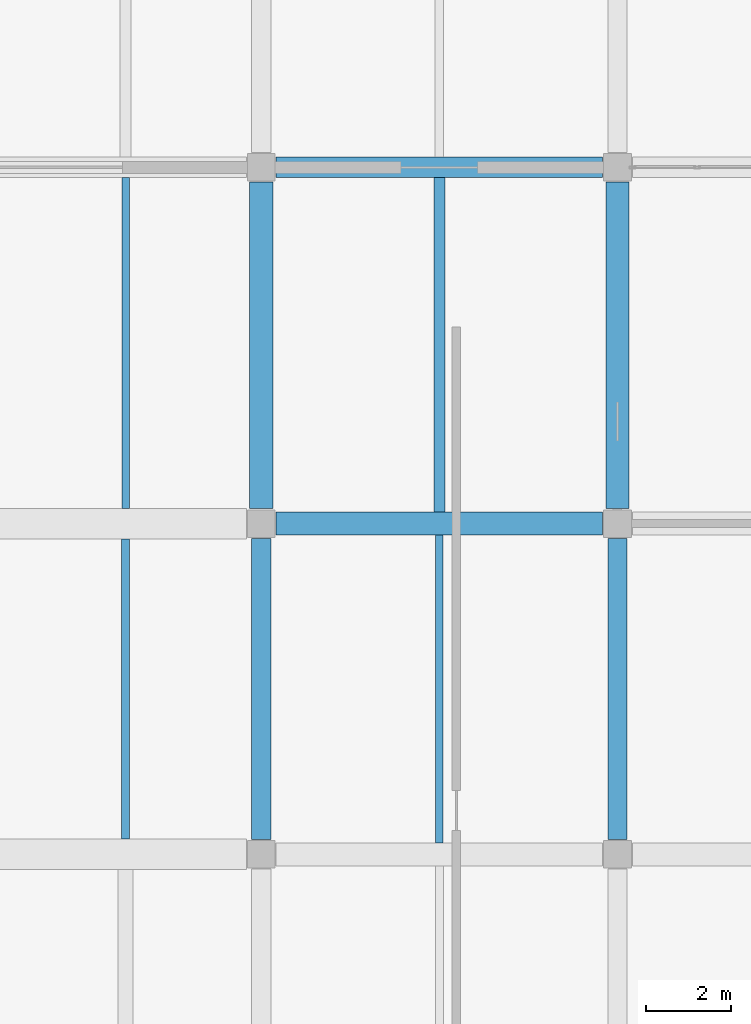
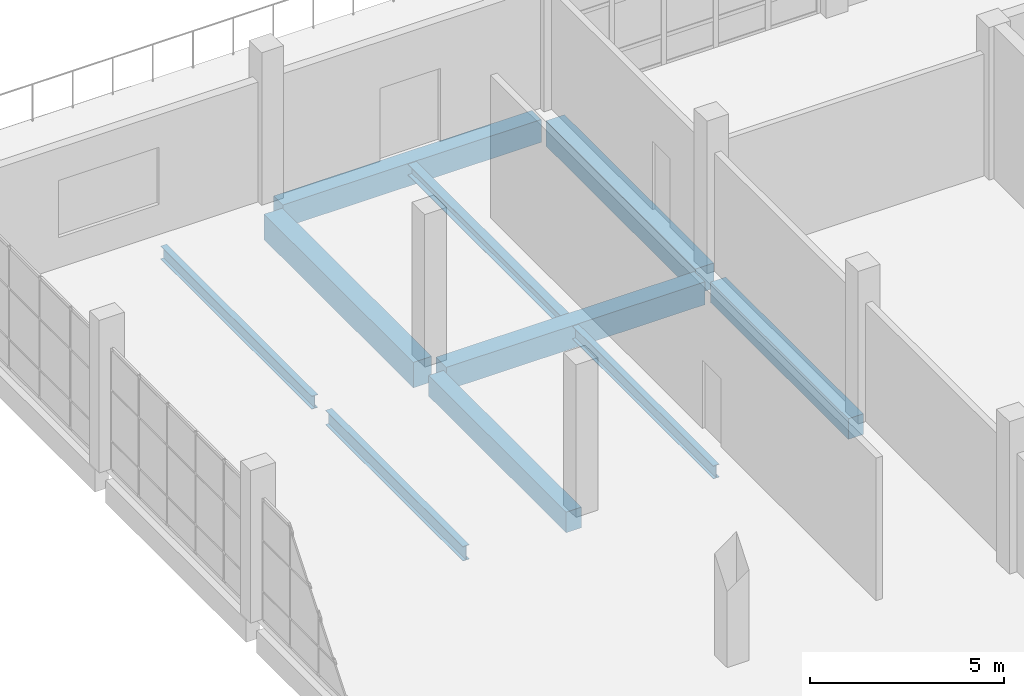
# One storey, part 43 of 79: 10 beams.
"""IFC4 building model written with IfcOpenShell, lengths in metres."""

from ifc_helpers import new_model, si_unit, direction, frame, origin, origin_2d, place, context, subcontext, project, spatial, rectangle, i_section, extrude, material, material_profile, profile_set, type_object, element, save


model = new_model("IFC4")

# Units and contexts
model_context = context("Model", 3, precision=1e-05, world=origin(), true_north=direction((0.0, 1.0)))
body_context = subcontext(model_context, "Body", "Model", "MODEL_VIEW")
ifc_project = project(units=[si_unit("LENGTHUNIT", "METRE"), si_unit("AREAUNIT", "SQUARE_METRE"), si_unit("VOLUMEUNIT", "CUBIC_METRE"), si_unit("PLANEANGLEUNIT", "RADIAN"), si_unit("MASSUNIT", "GRAM", prefix="KILO")], contexts=[model_context])

# Site, building, storey
site_placement = place(None, origin())
site = spatial("IfcSite", under=ifc_project, at=site_placement, CompositionType="ELEMENT")
building_placement = place(site_placement, origin())
building = spatial("IfcBuilding", under=site, at=building_placement, Name="Pellamere Symphony Hall", CompositionType="ELEMENT")
storey_placement = place(building_placement, frame((0.0, 0.0, 10.199951171875)))
storey = spatial("IfcBuildingStorey", under=building, at=storey_placement, Name="L02", CompositionType="ELEMENT", Elevation=10.199951171875)

# Beams
ifc_material_1 = material(Name="Concrete 40 MPa", Category="concrete")
ifc_material_profile_1 = material_profile(ifc_material_1, rectangle(XDim=0.550048828125, YDim=0.800048828125, at=origin_2d()), Name="RC 550x800")
ifc_profile_set_1 = profile_set([ifc_material_profile_1], Name="Concrete 40 MPa")
beam_type_1 = type_object("IfcBeamType", Name="RC CB-05 550x800", PredefinedType="BEAM", material=ifc_profile_set_1)
for number, where, z_axis, x_axis, name in (
    (1, (147.60009765625, 85.550048828125, -0.679931640625), (0.0, 1.0, 0.0), (-1.0, 0.0, 0.0), "Girder CB-05-Y1363 (L02)"),
    (2, (156.0, 85.550048828125, -0.679931640625), (0.0, 1.0, 0.0), (-1.0, 0.0, 0.0), "Girder CB-05-Y1374 (L02)"),
):
    element("IfcBeam", number, at=place(storey_placement, frame(where, z_axis=z_axis, x_axis=x_axis)), inside=storey, type_object=beam_type_1, Name=name, PredefinedType="BEAM", context=body_context, shape_type="SweptSolid", body=[
        extrude(rectangle(XDim=0.550048828125, YDim=0.800048828125, at=origin_2d()), origin(), (0.0, 0.0, 1.0), 7.699951171875),
    ])
ifc_material_profile_2 = material_profile(ifc_material_1, rectangle(XDim=0.449951171875, YDim=0.64990234375, at=origin_2d()), Name="RC 450x650")
ifc_profile_set_2 = profile_set([ifc_material_profile_2], Name="Concrete 40 MPa")
beam_type_2 = type_object("IfcBeamType", Name="RC CB-08 450x650", PredefinedType="BEAM", material=ifc_profile_set_2)
for number, where, z_axis, x_axis, name in (
    (3, (147.60009765625, 77.75, -0.60498046875), (0.0, 1.0, 0.0), (-1.0, 0.0, 0.0), "Girder CB-08-Y1362 (L02)"),
    (4, (156.0, 77.75, -0.60498046875), (0.0, 1.0, 0.0), (-1.0, 0.0, 0.0), "Girder CB-08-Y1373 (L02)"),
):
    element("IfcBeam", number, at=place(storey_placement, frame(where, z_axis=z_axis, x_axis=x_axis)), inside=storey, type_object=beam_type_2, Name=name, PredefinedType="BEAM", context=body_context, shape_type="SweptSolid", body=[
        extrude(rectangle(XDim=0.449951171875, YDim=0.64990234375, at=origin_2d()), origin(), (0.0, 0.0, 1.0), 7.10009765625),
    ])
ifc_material_profile_3 = material_profile(ifc_material_1, rectangle(XDim=0.47998046875, YDim=0.719970703125, at=origin_2d()), Name="RC 480x720")
ifc_profile_set_3 = profile_set([ifc_material_profile_3], Name="Concrete 40 MPa")
beam_type_3 = type_object("IfcBeamType", Name="RC CB-14 480x720", PredefinedType="SPANDREL", material=ifc_profile_set_3)
beam_1_placement = place(storey_placement, frame((147.949951171875, 93.60009765625, -0.639892578125), z_axis=(1.0, 0.0, 0.0), x_axis=(0.0, 1.0, 0.0)))
element("IfcBeam", 5, at=beam_1_placement, inside=storey, type_object=beam_type_3, Name="Girder CB-14-X1187 (L02)", PredefinedType="SPANDREL", context=body_context, shape_type="SweptSolid", body=[
    extrude(rectangle(XDim=0.47998046875, YDim=0.719970703125, at=origin_2d()), origin(), (0.0, 0.0, 1.0), 7.699951171875),
])
ifc_material_profile_4 = material_profile(ifc_material_1, rectangle(XDim=0.5400390625, YDim=0.719970703125, at=origin_2d()), Name="RC 540x720")
ifc_profile_set_4 = profile_set([ifc_material_profile_4], Name="Concrete 40 MPa")
beam_type_4 = type_object("IfcBeamType", Name="RC CB-24 540x720", PredefinedType="BEAM", material=ifc_profile_set_4)
beam_2_placement = place(storey_placement, frame((147.949951171875, 85.199951171875, -0.639892578125), z_axis=(1.0, 0.0, 0.0), x_axis=(0.0, 1.0, 0.0)))
element("IfcBeam", 6, at=beam_2_placement, inside=storey, type_object=beam_type_4, Name="Girder CB-24-X1174 (L02)", PredefinedType="BEAM", context=body_context, shape_type="SweptSolid", body=[
    extrude(rectangle(XDim=0.5400390625, YDim=0.719970703125, at=origin_2d()), origin(), (0.0, 0.0, 1.0), 7.699951171875),
])
ifc_material_2 = material(Name="Steel CSA G40.21 350W", Category="steel")
ifc_material_profile_5 = material_profile(ifc_material_2, i_section(OverallWidth=0.19091796875, OverallDepth=0.4599609375, WebThickness=0.010009765625, FlangeThickness=0.014404296875, at=origin_2d()), Name="W460X82")
ifc_profile_set_5 = profile_set([ifc_material_profile_5], Name="Steel CSA G40.21 350W")
beam_type_5 = type_object("IfcBeamType", Name="Steel Joist SB-17 W460X82", PredefinedType="JOIST", material=ifc_profile_set_5)
beam_3_placement = place(storey_placement, frame((144.39990234375, 77.760009765625, -0.52490234375), z_axis=(0.0, 1.0, 0.0), x_axis=(-1.0, 0.0, 0.0)))
element("IfcBeam", 7, at=beam_3_placement, inside=storey, type_object=beam_type_5, Name="Secondary Floor Beam SB-17-B1710 (L02)", PredefinedType="JOIST", context=body_context, shape_type="SweptSolid", body=[
    extrude(i_section(OverallWidth=0.19091796875, OverallDepth=0.4599609375, WebThickness=0.010009765625, FlangeThickness=0.014404296875, at=origin_2d()), origin(), (0.0, 0.0, 1.0), 7.080078125),
])
ifc_material_profile_6 = material_profile(ifc_material_2, i_section(OverallWidth=0.179931640625, OverallDepth=0.4130859375, WebThickness=0.009765625, FlangeThickness=0.01513671875, at=origin_2d()), Name="W410X74")
ifc_profile_set_6 = profile_set([ifc_material_profile_6], Name="Steel CSA G40.21 350W")
beam_type_6 = type_object("IfcBeamType", Name="Steel Joist SB-19 W410X74", PredefinedType="JOIST", material=ifc_profile_set_6)
beam_4_placement = place(storey_placement, frame((144.39990234375, 85.56005859375, -0.50146484375), z_axis=(0.0, 1.0, 0.0), x_axis=(-1.0, 0.0, 0.0)))
element("IfcBeam", 8, at=beam_4_placement, inside=storey, type_object=beam_type_6, Name="Secondary Floor Beam SB-19-B1711 (L02)", PredefinedType="JOIST", context=body_context, shape_type="SweptSolid", body=[
    extrude(i_section(OverallWidth=0.179931640625, OverallDepth=0.4130859375, WebThickness=0.009765625, FlangeThickness=0.01513671875, at=origin_2d()), origin(), (0.0, 0.0, 1.0), 7.800048828125),
])
beam_5_placement = place(storey_placement, frame((151.800048828125, 77.669921875, -0.50146484375), z_axis=(0.0, 1.0, 0.0), x_axis=(-1.0, 0.0, 0.0)))
element("IfcBeam", 9, at=beam_5_placement, inside=storey, type_object=beam_type_6, Name="Secondary Floor Beam SB-19-M1810 (L02)", PredefinedType="JOIST", context=body_context, shape_type="SweptSolid", body=[
    extrude(i_section(OverallWidth=0.179931640625, OverallDepth=0.4130859375, WebThickness=0.009765625, FlangeThickness=0.01513671875, at=origin_2d()), origin(), (0.0, 0.0, 1.0), 7.260009765625),
])
ifc_material_profile_7 = material_profile(ifc_material_2, i_section(OverallWidth=0.25390625, OverallDepth=0.35302734375, WebThickness=0.009521484375, FlangeThickness=0.016357421875, at=origin_2d()), Name="W360X91")
ifc_profile_set_7 = profile_set([ifc_material_profile_7], Name="Steel CSA G40.21 350W")
beam_type_7 = type_object("IfcBeamType", Name="Steel Joist SB-20 W360X91", PredefinedType="JOIST", material=ifc_profile_set_7)
beam_6_placement = place(storey_placement, frame((151.800048828125, 85.469970703125, -0.471435546875), z_axis=(0.0, 1.0, 0.0), x_axis=(-1.0, 0.0, 0.0)))
element("IfcBeam", 10, at=beam_6_placement, inside=storey, type_object=beam_type_7, Name="Secondary Floor Beam SB-20-M1811 (L02)", PredefinedType="JOIST", context=body_context, shape_type="SweptSolid", body=[
    extrude(i_section(OverallWidth=0.25390625, OverallDepth=0.35302734375, WebThickness=0.009521484375, FlangeThickness=0.016357421875, at=origin_2d()), origin(), (0.0, 0.0, 1.0), 7.89013671875),
])

save(model, "model.ifc")
